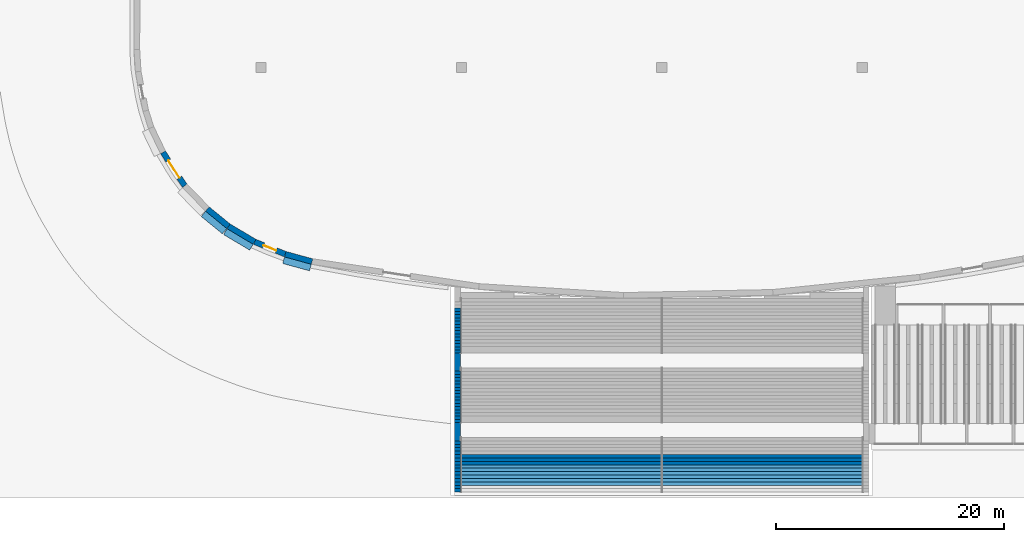
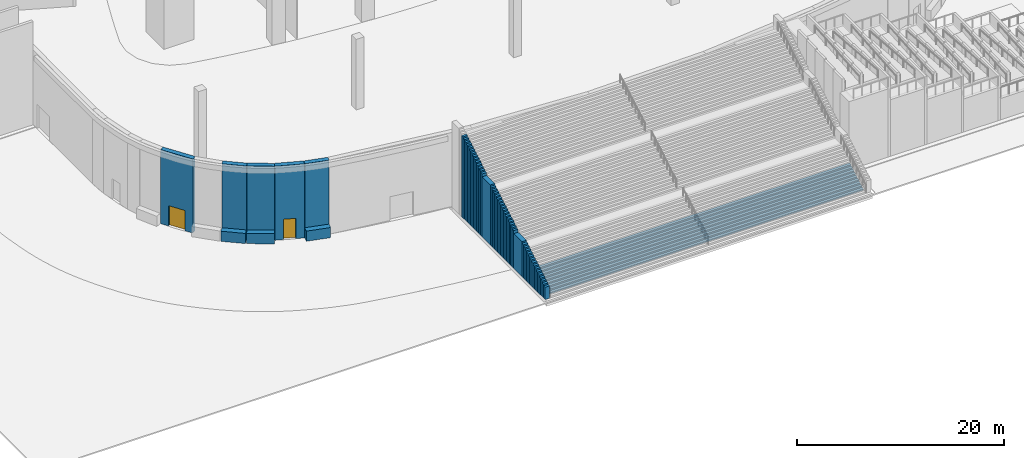
# One storey, part 4 of 29: 64 walls, 2 doors, 2 openings.
"""IFC4 building model written with IfcOpenShell, lengths in metres."""

from ifc_helpers import new_model, si_unit, direction, frame, frame_2d, origin, place, context, subcontext, project, spatial, rectangle, extrude, material, layer, layer_set, type_object, element, fill, save


model = new_model("IFC4")

# Units and contexts
model_context = context("Model", 3, precision=1e-05, world=origin(), true_north=direction((0.0, 1.0)))
body_context = subcontext(model_context, "Body", "Model", "MODEL_VIEW")
ifc_project = project(units=[si_unit("LENGTHUNIT", "METRE"), si_unit("AREAUNIT", "SQUARE_METRE"), si_unit("VOLUMEUNIT", "CUBIC_METRE"), si_unit("PLANEANGLEUNIT", "RADIAN"), si_unit("MASSUNIT", "GRAM", prefix="KILO")], contexts=[model_context])

# Site, building, storey
site_placement = place(None, origin())
site = spatial("IfcSite", under=ifc_project, at=site_placement, CompositionType="ELEMENT")
building_placement = place(site_placement, origin())
building = spatial("IfcBuilding", under=site, at=building_placement, Name="Sierra Prisma Convention Tower", CompositionType="ELEMENT")
storey_placement = place(building_placement, origin())
storey = spatial("IfcBuildingStorey", under=building, at=storey_placement, Name="L00", CompositionType="ELEMENT", Elevation=0.0)

# Walls
ifc_material_1 = material(Name="Concrete C35/45, rose plaster finish", Category="concrete")
ifc_layer_1 = layer(ifc_material_1, 0.5)
ifc_layer_set_1 = layer_set([ifc_layer_1], Name="Garden steps cheek wall 500")
wall_type_1 = type_object("IfcWallType", Name="Garden steps cheek wall 500", PredefinedType="STANDARD", material=ifc_layer_set_1)
wall_1_placement = place(storey_placement, frame((-17.949951171875, -72.490234375, 0.0), z_axis=(0.0, 0.0, 1.0), x_axis=(0.0, 1.0, 0.0)))
element("IfcWall", 1, at=wall_1_placement, inside=storey, type_object=wall_type_1, Name="Garden steps cheek wall west 1", PredefinedType="STANDARD", context=body_context, shape_type="SweptSolid", body=[
    extrude(rectangle(XDim=0.300048828125, YDim=0.5, at=frame_2d((0.14990234375, 0.0))), origin(), (0.0, 0.0, 1.0), 1.452880859375),
])
wall_2_placement = place(storey_placement, frame((-17.949951171875, -72.190185546875, 0.0), z_axis=(0.0, 0.0, 1.0), x_axis=(0.0, 1.0, 0.0)))
element("IfcWall", 2, at=wall_2_placement, inside=storey, type_object=wall_type_1, Name="Garden steps cheek wall west 2", PredefinedType="STANDARD", context=body_context, shape_type="SweptSolid", body=[
    extrude(rectangle(XDim=0.300048828125, YDim=0.5, at=frame_2d((0.14990234375, 0.0))), origin(), (0.0, 0.0, 1.0), 1.62939453125),
])
wall_3_placement = place(storey_placement, frame((-17.949951171875, -71.89013671875, 0.0), z_axis=(0.0, 0.0, 1.0), x_axis=(0.0, 1.0, 0.0)))
element("IfcWall", 3, at=wall_3_placement, inside=storey, type_object=wall_type_1, Name="Garden steps cheek wall west 3", PredefinedType="STANDARD", context=body_context, shape_type="SweptSolid", body=[
    extrude(rectangle(XDim=0.300048828125, YDim=0.5, at=frame_2d((0.14990234375, 0.0))), origin(), (0.0, 0.0, 1.0), 1.805908203125),
])
wall_4_placement = place(storey_placement, frame((-17.949951171875, -71.590087890625, 0.0), z_axis=(0.0, 0.0, 1.0), x_axis=(0.0, 1.0, 0.0)))
element("IfcWall", 4, at=wall_4_placement, inside=storey, type_object=wall_type_1, Name="Garden steps cheek wall west 4", PredefinedType="STANDARD", context=body_context, shape_type="SweptSolid", body=[
    extrude(rectangle(XDim=0.2998046875, YDim=0.5, at=frame_2d((0.14990234375, 0.0))), origin(), (0.0, 0.0, 1.0), 1.982421875),
])
wall_5_placement = place(storey_placement, frame((-17.949951171875, -71.290283203125, 0.0), z_axis=(0.0, 0.0, 1.0), x_axis=(0.0, 1.0, 0.0)))
element("IfcWall", 5, at=wall_5_placement, inside=storey, type_object=wall_type_1, Name="Garden steps cheek wall west 5", PredefinedType="STANDARD", context=body_context, shape_type="SweptSolid", body=[
    extrude(rectangle(XDim=0.300048828125, YDim=0.5, at=frame_2d((0.14990234375, 0.0))), origin(), (0.0, 0.0, 1.0), 2.15869140625),
])
wall_6_placement = place(storey_placement, frame((-17.949951171875, -70.990234375, 0.0), z_axis=(0.0, 0.0, 1.0), x_axis=(0.0, 1.0, 0.0)))
element("IfcWall", 6, at=wall_6_placement, inside=storey, type_object=wall_type_1, Name="Garden steps cheek wall west 6", PredefinedType="STANDARD", context=body_context, shape_type="SweptSolid", body=[
    extrude(rectangle(XDim=0.300048828125, YDim=0.5, at=frame_2d((0.14990234375, 0.0))), origin(), (0.0, 0.0, 1.0), 2.335205078125),
])
wall_7_placement = place(storey_placement, frame((-17.949951171875, -70.690185546875, 0.0), z_axis=(0.0, 0.0, 1.0), x_axis=(0.0, 1.0, 0.0)))
element("IfcWall", 7, at=wall_7_placement, inside=storey, type_object=wall_type_1, Name="Garden steps cheek wall west 7", PredefinedType="STANDARD", context=body_context, shape_type="SweptSolid", body=[
    extrude(rectangle(XDim=0.300048828125, YDim=0.5, at=frame_2d((0.14990234375, 0.0))), origin(), (0.0, 0.0, 1.0), 2.51171875),
])
wall_8_placement = place(storey_placement, frame((-17.949951171875, -70.39013671875, 0.0), z_axis=(0.0, 0.0, 1.0), x_axis=(0.0, 1.0, 0.0)))
element("IfcWall", 8, at=wall_8_placement, inside=storey, type_object=wall_type_1, Name="Garden steps cheek wall west 8", PredefinedType="STANDARD", context=body_context, shape_type="SweptSolid", body=[
    extrude(rectangle(XDim=0.300048828125, YDim=0.5, at=frame_2d((0.14990234375, 0.0))), origin(), (0.0, 0.0, 1.0), 2.688232421875),
])
wall_9_placement = place(storey_placement, frame((-17.949951171875, -70.090087890625, 0.0), z_axis=(0.0, 0.0, 1.0), x_axis=(0.0, 1.0, 0.0)))
element("IfcWall", 9, at=wall_9_placement, inside=storey, type_object=wall_type_1, Name="Garden steps cheek wall west 9", PredefinedType="STANDARD", context=body_context, shape_type="SweptSolid", body=[
    extrude(rectangle(XDim=0.2998046875, YDim=0.5, at=frame_2d((0.14990234375, 0.0))), origin(), (0.0, 0.0, 1.0), 2.86474609375),
])
wall_10_placement = place(storey_placement, frame((-17.949951171875, -69.790283203125, 0.0), z_axis=(0.0, 0.0, 1.0), x_axis=(0.0, 1.0, 0.0)))
element("IfcWall", 10, at=wall_10_placement, inside=storey, type_object=wall_type_1, Name="Garden steps cheek wall west 10", PredefinedType="STANDARD", context=body_context, shape_type="SweptSolid", body=[
    extrude(rectangle(XDim=0.300048828125, YDim=0.5, at=frame_2d((0.14990234375, 0.0))), origin(), (0.0, 0.0, 1.0), 3.041259765625),
])
wall_11_placement = place(storey_placement, frame((-17.949951171875, -69.490234375, 0.0), z_axis=(0.0, 0.0, 1.0), x_axis=(0.0, 1.0, 0.0)))
element("IfcWall", 11, at=wall_11_placement, inside=storey, type_object=wall_type_1, Name="Garden steps cheek wall west 11", PredefinedType="STANDARD", context=body_context, shape_type="SweptSolid", body=[
    extrude(rectangle(XDim=0.300048828125, YDim=0.5, at=frame_2d((0.14990234375, 0.0))), origin(), (0.0, 0.0, 1.0), 3.217529296875),
])
wall_12_placement = place(storey_placement, frame((-17.949951171875, -69.190185546875, 0.0), z_axis=(0.0, 0.0, 1.0), x_axis=(0.0, 1.0, 0.0)))
element("IfcWall", 12, at=wall_12_placement, inside=storey, type_object=wall_type_1, Name="Garden steps cheek wall west 12", PredefinedType="STANDARD", context=body_context, shape_type="SweptSolid", body=[
    extrude(rectangle(XDim=0.300048828125, YDim=0.5, at=frame_2d((0.14990234375, 0.0))), origin(), (0.0, 0.0, 1.0), 3.39404296875),
])
wall_13_placement = place(storey_placement, frame((-17.949951171875, -68.89013671875, 0.0), z_axis=(0.0, 0.0, 1.0), x_axis=(0.0, 1.0, 0.0)))
element("IfcWall", 13, at=wall_13_placement, inside=storey, type_object=wall_type_1, Name="Garden steps cheek wall west 13", PredefinedType="STANDARD", context=body_context, shape_type="SweptSolid", body=[
    extrude(rectangle(XDim=0.300048828125, YDim=0.5, at=frame_2d((0.14990234375, 0.0))), origin(), (0.0, 0.0, 1.0), 3.570556640625),
])
wall_14_placement = place(storey_placement, frame((-17.949951171875, -68.590087890625, 0.0), z_axis=(0.0, 0.0, 1.0), x_axis=(0.0, 1.0, 0.0)))
element("IfcWall", 14, at=wall_14_placement, inside=storey, type_object=wall_type_1, Name="Garden steps cheek wall west 14", PredefinedType="STANDARD", context=body_context, shape_type="SweptSolid", body=[
    extrude(rectangle(XDim=0.2998046875, YDim=0.5, at=frame_2d((0.14990234375, 0.0))), origin(), (0.0, 0.0, 1.0), 3.7470703125),
])
wall_15_placement = place(storey_placement, frame((-17.949951171875, -68.290283203125, 0.0), z_axis=(0.0, 0.0, 1.0), x_axis=(0.0, 1.0, 0.0)))
element("IfcWall", 15, at=wall_15_placement, inside=storey, type_object=wall_type_1, Name="Garden steps cheek wall west 15", PredefinedType="STANDARD", context=body_context, shape_type="SweptSolid", body=[
    extrude(rectangle(XDim=0.300048828125, YDim=0.5, at=frame_2d((0.14990234375, 0.0))), origin(), (0.0, 0.0, 1.0), 3.923583984375),
])
wall_16_placement = place(storey_placement, frame((-17.949951171875, -67.990234375, 0.0), z_axis=(0.0, 0.0, 1.0), x_axis=(0.0, 1.0, 0.0)))
element("IfcWall", 16, at=wall_16_placement, inside=storey, type_object=wall_type_1, Name="Garden steps cheek wall west 16", PredefinedType="STANDARD", context=body_context, shape_type="SweptSolid", body=[
    extrude(rectangle(XDim=1.60009765625, YDim=0.5, at=frame_2d((0.800048828125, 0.0))), origin(), (0.0, 0.0, 1.0), 4.10009765625),
])
wall_17_placement = place(storey_placement, frame((-17.949951171875, -66.39013671875, 0.0), z_axis=(0.0, 0.0, 1.0), x_axis=(0.0, 1.0, 0.0)))
element("IfcWall", 17, at=wall_17_placement, inside=storey, type_object=wall_type_1, Name="Garden steps cheek wall west 17", PredefinedType="STANDARD", context=body_context, shape_type="SweptSolid", body=[
    extrude(rectangle(XDim=0.2822265625, YDim=0.5, at=frame_2d((0.14111328125, 0.0))), origin(), (0.0, 0.0, 1.0), 4.442626953125),
])
wall_18_placement = place(storey_placement, frame((-17.949951171875, -66.10791015625, 0.0), z_axis=(0.0, 0.0, 1.0), x_axis=(0.0, 1.0, 0.0)))
element("IfcWall", 18, at=wall_18_placement, inside=storey, type_object=wall_type_1, Name="Garden steps cheek wall west 18", PredefinedType="STANDARD", context=body_context, shape_type="SweptSolid", body=[
    extrude(rectangle(XDim=0.282470703125, YDim=0.5, at=frame_2d((0.14111328125, 0.0))), origin(), (0.0, 0.0, 1.0), 4.608642578125),
])
wall_19_placement = place(storey_placement, frame((-17.949951171875, -65.825439453125, 0.0), z_axis=(0.0, 0.0, 1.0), x_axis=(0.0, 1.0, 0.0)))
element("IfcWall", 19, at=wall_19_placement, inside=storey, type_object=wall_type_1, Name="Garden steps cheek wall west 19", PredefinedType="STANDARD", context=body_context, shape_type="SweptSolid", body=[
    extrude(rectangle(XDim=0.2822265625, YDim=0.5, at=frame_2d((0.14111328125, 0.0))), origin(), (0.0, 0.0, 1.0), 4.774658203125),
])
wall_20_placement = place(storey_placement, frame((-17.949951171875, -65.543212890625, 0.0), z_axis=(0.0, 0.0, 1.0), x_axis=(0.0, 1.0, 0.0)))
element("IfcWall", 20, at=wall_20_placement, inside=storey, type_object=wall_type_1, Name="Garden steps cheek wall west 20", PredefinedType="STANDARD", context=body_context, shape_type="SweptSolid", body=[
    extrude(rectangle(XDim=0.282470703125, YDim=0.5, at=frame_2d((0.14111328125, 0.0))), origin(), (0.0, 0.0, 1.0), 4.94091796875),
])
wall_21_placement = place(storey_placement, frame((-17.949951171875, -65.2607421875, 0.0), z_axis=(0.0, 0.0, 1.0), x_axis=(0.0, 1.0, 0.0)))
element("IfcWall", 21, at=wall_21_placement, inside=storey, type_object=wall_type_1, Name="Garden steps cheek wall west 21", PredefinedType="STANDARD", context=body_context, shape_type="SweptSolid", body=[
    extrude(rectangle(XDim=0.2822265625, YDim=0.5, at=frame_2d((0.14111328125, 0.0))), origin(), (0.0, 0.0, 1.0), 5.10693359375),
])
wall_22_placement = place(storey_placement, frame((-17.949951171875, -64.978515625, 0.0), z_axis=(0.0, 0.0, 1.0), x_axis=(0.0, 1.0, 0.0)))
element("IfcWall", 22, at=wall_22_placement, inside=storey, type_object=wall_type_1, Name="Garden steps cheek wall west 22", PredefinedType="STANDARD", context=body_context, shape_type="SweptSolid", body=[
    extrude(rectangle(XDim=0.282470703125, YDim=0.5, at=frame_2d((0.14111328125, 0.0))), origin(), (0.0, 0.0, 1.0), 5.27294921875),
])
wall_23_placement = place(storey_placement, frame((-17.949951171875, -64.696044921875, 0.0), z_axis=(0.0, 0.0, 1.0), x_axis=(0.0, 1.0, 0.0)))
element("IfcWall", 23, at=wall_23_placement, inside=storey, type_object=wall_type_1, Name="Garden steps cheek wall west 23", PredefinedType="STANDARD", context=body_context, shape_type="SweptSolid", body=[
    extrude(rectangle(XDim=0.2822265625, YDim=0.5, at=frame_2d((0.14111328125, 0.0))), origin(), (0.0, 0.0, 1.0), 5.439208984375),
])
wall_24_placement = place(storey_placement, frame((-17.949951171875, -64.413818359375, 0.0), z_axis=(0.0, 0.0, 1.0), x_axis=(0.0, 1.0, 0.0)))
element("IfcWall", 24, at=wall_24_placement, inside=storey, type_object=wall_type_1, Name="Garden steps cheek wall west 24", PredefinedType="STANDARD", context=body_context, shape_type="SweptSolid", body=[
    extrude(rectangle(XDim=0.282470703125, YDim=0.5, at=frame_2d((0.14111328125, 0.0))), origin(), (0.0, 0.0, 1.0), 5.605224609375),
])
wall_25_placement = place(storey_placement, frame((-17.949951171875, -64.13134765625, 0.0), z_axis=(0.0, 0.0, 1.0), x_axis=(0.0, 1.0, 0.0)))
element("IfcWall", 25, at=wall_25_placement, inside=storey, type_object=wall_type_1, Name="Garden steps cheek wall west 25", PredefinedType="STANDARD", context=body_context, shape_type="SweptSolid", body=[
    extrude(rectangle(XDim=0.2822265625, YDim=0.5, at=frame_2d((0.14111328125, 0.0))), origin(), (0.0, 0.0, 1.0), 5.771240234375),
])
wall_26_placement = place(storey_placement, frame((-17.949951171875, -63.84912109375, 0.0), z_axis=(0.0, 0.0, 1.0), x_axis=(0.0, 1.0, 0.0)))
element("IfcWall", 26, at=wall_26_placement, inside=storey, type_object=wall_type_1, Name="Garden steps cheek wall west 26", PredefinedType="STANDARD", context=body_context, shape_type="SweptSolid", body=[
    extrude(rectangle(XDim=0.282470703125, YDim=0.5, at=frame_2d((0.14111328125, 0.0))), origin(), (0.0, 0.0, 1.0), 5.9375),
])
wall_27_placement = place(storey_placement, frame((-17.949951171875, -63.566650390625, 0.0), z_axis=(0.0, 0.0, 1.0), x_axis=(0.0, 1.0, 0.0)))
element("IfcWall", 27, at=wall_27_placement, inside=storey, type_object=wall_type_1, Name="Garden steps cheek wall west 27", PredefinedType="STANDARD", context=body_context, shape_type="SweptSolid", body=[
    extrude(rectangle(XDim=0.2822265625, YDim=0.5, at=frame_2d((0.14111328125, 0.0))), origin(), (0.0, 0.0, 1.0), 6.103515625),
])
wall_28_placement = place(storey_placement, frame((-17.949951171875, -63.284423828125, 0.0), z_axis=(0.0, 0.0, 1.0), x_axis=(0.0, 1.0, 0.0)))
element("IfcWall", 28, at=wall_28_placement, inside=storey, type_object=wall_type_1, Name="Garden steps cheek wall west 28", PredefinedType="STANDARD", context=body_context, shape_type="SweptSolid", body=[
    extrude(rectangle(XDim=0.282470703125, YDim=0.5, at=frame_2d((0.14111328125, 0.0))), origin(), (0.0, 0.0, 1.0), 6.26953125),
])
wall_29_placement = place(storey_placement, frame((-17.949951171875, -63.001953125, 0.0), z_axis=(0.0, 0.0, 1.0), x_axis=(0.0, 1.0, 0.0)))
element("IfcWall", 29, at=wall_29_placement, inside=storey, type_object=wall_type_1, Name="Garden steps cheek wall west 29", PredefinedType="STANDARD", context=body_context, shape_type="SweptSolid", body=[
    extrude(rectangle(XDim=0.2822265625, YDim=0.5, at=frame_2d((0.14111328125, 0.0))), origin(), (0.0, 0.0, 1.0), 6.435546875),
])
wall_30_placement = place(storey_placement, frame((-17.949951171875, -62.7197265625, 0.0), z_axis=(0.0, 0.0, 1.0), x_axis=(0.0, 1.0, 0.0)))
element("IfcWall", 30, at=wall_30_placement, inside=storey, type_object=wall_type_1, Name="Garden steps cheek wall west 30", PredefinedType="STANDARD", context=body_context, shape_type="SweptSolid", body=[
    extrude(rectangle(XDim=0.282470703125, YDim=0.5, at=frame_2d((0.14111328125, 0.0))), origin(), (0.0, 0.0, 1.0), 6.601806640625),
])
wall_31_placement = place(storey_placement, frame((-17.949951171875, -62.437255859375, 0.0), z_axis=(0.0, 0.0, 1.0), x_axis=(0.0, 1.0, 0.0)))
element("IfcWall", 31, at=wall_31_placement, inside=storey, type_object=wall_type_1, Name="Garden steps cheek wall west 31", PredefinedType="STANDARD", context=body_context, shape_type="SweptSolid", body=[
    extrude(rectangle(XDim=0.282470703125, YDim=0.5, at=frame_2d((0.14111328125, 0.0))), origin(), (0.0, 0.0, 1.0), 6.767822265625),
])
wall_32_placement = place(storey_placement, frame((-17.949951171875, -62.15478515625, 0.0), z_axis=(0.0, 0.0, 1.0), x_axis=(0.0, 1.0, 0.0)))
element("IfcWall", 32, at=wall_32_placement, inside=storey, type_object=wall_type_1, Name="Garden steps cheek wall west 32", PredefinedType="STANDARD", context=body_context, shape_type="SweptSolid", body=[
    extrude(rectangle(XDim=0.2822265625, YDim=0.5, at=frame_2d((0.14111328125, 0.0))), origin(), (0.0, 0.0, 1.0), 6.933837890625),
])
wall_33_placement = place(storey_placement, frame((-17.949951171875, -61.87255859375, 0.0), z_axis=(0.0, 0.0, 1.0), x_axis=(0.0, 1.0, 0.0)))
element("IfcWall", 33, at=wall_33_placement, inside=storey, type_object=wall_type_1, Name="Garden steps cheek wall west 33", PredefinedType="STANDARD", context=body_context, shape_type="SweptSolid", body=[
    extrude(rectangle(XDim=1.582275390625, YDim=0.5, at=frame_2d((0.791015625, 0.0))), origin(), (0.0, 0.0, 1.0), 7.10009765625),
])
wall_34_placement = place(storey_placement, frame((-17.949951171875, -60.290283203125, 0.0), z_axis=(0.0, 0.0, 1.0), x_axis=(0.0, 1.0, 0.0)))
element("IfcWall", 34, at=wall_34_placement, inside=storey, type_object=wall_type_1, Name="Garden steps cheek wall west 34", PredefinedType="STANDARD", context=body_context, shape_type="SweptSolid", body=[
    extrude(rectangle(XDim=0.282470703125, YDim=0.5, at=frame_2d((0.14111328125, 0.0))), origin(), (0.0, 0.0, 1.0), 7.442626953125),
])
wall_35_placement = place(storey_placement, frame((-17.949951171875, -60.0078125, 0.0), z_axis=(0.0, 0.0, 1.0), x_axis=(0.0, 1.0, 0.0)))
element("IfcWall", 35, at=wall_35_placement, inside=storey, type_object=wall_type_1, Name="Garden steps cheek wall west 35", PredefinedType="STANDARD", context=body_context, shape_type="SweptSolid", body=[
    extrude(rectangle(XDim=0.2822265625, YDim=0.5, at=frame_2d((0.14111328125, 0.0))), origin(), (0.0, 0.0, 1.0), 7.608642578125),
])
wall_36_placement = place(storey_placement, frame((-17.949951171875, -59.7255859375, 0.0), z_axis=(0.0, 0.0, 1.0), x_axis=(0.0, 1.0, 0.0)))
element("IfcWall", 36, at=wall_36_placement, inside=storey, type_object=wall_type_1, Name="Garden steps cheek wall west 36", PredefinedType="STANDARD", context=body_context, shape_type="SweptSolid", body=[
    extrude(rectangle(XDim=0.282470703125, YDim=0.5, at=frame_2d((0.14111328125, 0.0))), origin(), (0.0, 0.0, 1.0), 7.774658203125),
])
wall_37_placement = place(storey_placement, frame((-17.949951171875, -59.443115234375, 0.0), z_axis=(0.0, 0.0, 1.0), x_axis=(0.0, 1.0, 0.0)))
element("IfcWall", 37, at=wall_37_placement, inside=storey, type_object=wall_type_1, Name="Garden steps cheek wall west 37", PredefinedType="STANDARD", context=body_context, shape_type="SweptSolid", body=[
    extrude(rectangle(XDim=0.2822265625, YDim=0.5, at=frame_2d((0.14111328125, 0.0))), origin(), (0.0, 0.0, 1.0), 7.94091796875),
])
wall_38_placement = place(storey_placement, frame((-17.949951171875, -59.160888671875, 0.0), z_axis=(0.0, 0.0, 1.0), x_axis=(0.0, 1.0, 0.0)))
element("IfcWall", 38, at=wall_38_placement, inside=storey, type_object=wall_type_1, Name="Garden steps cheek wall west 38", PredefinedType="STANDARD", context=body_context, shape_type="SweptSolid", body=[
    extrude(rectangle(XDim=0.282470703125, YDim=0.5, at=frame_2d((0.14111328125, 0.0))), origin(), (0.0, 0.0, 1.0), 8.10693359375),
])
wall_39_placement = place(storey_placement, frame((-17.949951171875, -58.87841796875, 0.0), z_axis=(0.0, 0.0, 1.0), x_axis=(0.0, 1.0, 0.0)))
element("IfcWall", 39, at=wall_39_placement, inside=storey, type_object=wall_type_1, Name="Garden steps cheek wall west 39", PredefinedType="STANDARD", context=body_context, shape_type="SweptSolid", body=[
    extrude(rectangle(XDim=0.2822265625, YDim=0.5, at=frame_2d((0.14111328125, 0.0))), origin(), (0.0, 0.0, 1.0), 8.27294921875),
])
wall_40_placement = place(storey_placement, frame((-17.949951171875, -58.59619140625, 0.0), z_axis=(0.0, 0.0, 1.0), x_axis=(0.0, 1.0, 0.0)))
element("IfcWall", 40, at=wall_40_placement, inside=storey, type_object=wall_type_1, Name="Garden steps cheek wall west 40", PredefinedType="STANDARD", context=body_context, shape_type="SweptSolid", body=[
    extrude(rectangle(XDim=0.282470703125, YDim=0.5, at=frame_2d((0.14111328125, 0.0))), origin(), (0.0, 0.0, 1.0), 8.439208984375),
])
wall_41_placement = place(storey_placement, frame((-17.949951171875, -58.313720703125, 0.0), z_axis=(0.0, 0.0, 1.0), x_axis=(0.0, 1.0, 0.0)))
element("IfcWall", 41, at=wall_41_placement, inside=storey, type_object=wall_type_1, Name="Garden steps cheek wall west 41", PredefinedType="STANDARD", context=body_context, shape_type="SweptSolid", body=[
    extrude(rectangle(XDim=0.2822265625, YDim=0.5, at=frame_2d((0.14111328125, 0.0))), origin(), (0.0, 0.0, 1.0), 8.605224609375),
])
wall_42_placement = place(storey_placement, frame((-17.949951171875, -58.031494140625, 0.0), z_axis=(0.0, 0.0, 1.0), x_axis=(0.0, 1.0, 0.0)))
element("IfcWall", 42, at=wall_42_placement, inside=storey, type_object=wall_type_1, Name="Garden steps cheek wall west 42", PredefinedType="STANDARD", context=body_context, shape_type="SweptSolid", body=[
    extrude(rectangle(XDim=0.282470703125, YDim=0.5, at=frame_2d((0.14111328125, 0.0))), origin(), (0.0, 0.0, 1.0), 8.771240234375),
])
wall_43_placement = place(storey_placement, frame((-17.949951171875, -57.7490234375, 0.0), z_axis=(0.0, 0.0, 1.0), x_axis=(0.0, 1.0, 0.0)))
element("IfcWall", 43, at=wall_43_placement, inside=storey, type_object=wall_type_1, Name="Garden steps cheek wall west 43", PredefinedType="STANDARD", context=body_context, shape_type="SweptSolid", body=[
    extrude(rectangle(XDim=0.2822265625, YDim=0.5, at=frame_2d((0.14111328125, 0.0))), origin(), (0.0, 0.0, 1.0), 8.9375),
])
wall_44_placement = place(storey_placement, frame((-17.949951171875, -57.466796875, 0.0), z_axis=(0.0, 0.0, 1.0), x_axis=(0.0, 1.0, 0.0)))
element("IfcWall", 44, at=wall_44_placement, inside=storey, type_object=wall_type_1, Name="Garden steps cheek wall west 44", PredefinedType="STANDARD", context=body_context, shape_type="SweptSolid", body=[
    extrude(rectangle(XDim=0.282470703125, YDim=0.5, at=frame_2d((0.14111328125, 0.0))), origin(), (0.0, 0.0, 1.0), 9.103515625),
])
wall_45_placement = place(storey_placement, frame((-17.949951171875, -57.184326171875, 0.0), z_axis=(0.0, 0.0, 1.0), x_axis=(0.0, 1.0, 0.0)))
element("IfcWall", 45, at=wall_45_placement, inside=storey, type_object=wall_type_1, Name="Garden steps cheek wall west 45", PredefinedType="STANDARD", context=body_context, shape_type="SweptSolid", body=[
    extrude(rectangle(XDim=0.2822265625, YDim=0.5, at=frame_2d((0.14111328125, 0.0))), origin(), (0.0, 0.0, 1.0), 9.26953125),
])
wall_46_placement = place(storey_placement, frame((-17.949951171875, -56.902099609375, 0.0), z_axis=(0.0, 0.0, 1.0), x_axis=(0.0, 1.0, 0.0)))
element("IfcWall", 46, at=wall_46_placement, inside=storey, type_object=wall_type_1, Name="Garden steps cheek wall west 46", PredefinedType="STANDARD", context=body_context, shape_type="SweptSolid", body=[
    extrude(rectangle(XDim=0.282470703125, YDim=0.5, at=frame_2d((0.14111328125, 0.0))), origin(), (0.0, 0.0, 1.0), 9.435546875),
])
wall_47_placement = place(storey_placement, frame((-17.949951171875, -56.61962890625, 0.0), z_axis=(0.0, 0.0, 1.0), x_axis=(0.0, 1.0, 0.0)))
element("IfcWall", 47, at=wall_47_placement, inside=storey, type_object=wall_type_1, Name="Garden steps cheek wall west 47", PredefinedType="STANDARD", context=body_context, shape_type="SweptSolid", body=[
    extrude(rectangle(XDim=0.2822265625, YDim=0.5, at=frame_2d((0.14111328125, 0.0))), origin(), (0.0, 0.0, 1.0), 9.601806640625),
])
ifc_material_2 = material(Name="Concrete C30/37", Category="concrete")
ifc_layer_2 = layer(ifc_material_2, 0.300048828125)
ifc_layer_set_2 = layer_set([ifc_layer_2], Name="Garden steps fill wall 300")
wall_type_2 = type_object("IfcWallType", Name="Garden steps fill wall 300", PredefinedType="STANDARD", material=ifc_layer_set_2)
wall_48_placement = place(storey_placement, frame((-17.699951171875, -71.743896484375, 0.0), z_axis=(0.0, 0.0, 1.0), x_axis=(1.0, 0.0, 0.0)))
element("IfcWall", 48, at=wall_48_placement, inside=storey, type_object=wall_type_2, Name="Garden steps fill wall 1 1", PredefinedType="STANDARD", context=body_context, shape_type="SweptSolid", body=[
    extrude(rectangle(XDim=35.39990234375, YDim=0.300048828125, at=frame_2d((17.699951171875, 0.0))), origin(), (0.0, 0.0, 1.0), 0.176513671875),
])
wall_49_placement = place(storey_placement, frame((-17.699951171875, -71.443603515625, 0.0), z_axis=(0.0, 0.0, 1.0), x_axis=(1.0, 0.0, 0.0)))
element("IfcWall", 49, at=wall_49_placement, inside=storey, type_object=wall_type_2, Name="Garden steps fill wall 1 2", PredefinedType="STANDARD", context=body_context, shape_type="SweptSolid", body=[
    extrude(rectangle(XDim=35.39990234375, YDim=0.300048828125, at=frame_2d((17.699951171875, 0.0))), origin(), (0.0, 0.0, 1.0), 0.353271484375),
])
wall_50_placement = place(storey_placement, frame((-17.699951171875, -71.143310546875, 0.0), z_axis=(0.0, 0.0, 1.0), x_axis=(1.0, 0.0, 0.0)))
element("IfcWall", 50, at=wall_50_placement, inside=storey, type_object=wall_type_2, Name="Garden steps fill wall 1 3", PredefinedType="STANDARD", context=body_context, shape_type="SweptSolid", body=[
    extrude(rectangle(XDim=35.39990234375, YDim=0.300048828125, at=frame_2d((17.699951171875, 0.0))), origin(), (0.0, 0.0, 1.0), 0.52978515625),
])
wall_51_placement = place(storey_placement, frame((-17.699951171875, -70.843017578125, 0.0), z_axis=(0.0, 0.0, 1.0), x_axis=(1.0, 0.0, 0.0)))
element("IfcWall", 51, at=wall_51_placement, inside=storey, type_object=wall_type_2, Name="Garden steps fill wall 1 4", PredefinedType="STANDARD", context=body_context, shape_type="SweptSolid", body=[
    extrude(rectangle(XDim=35.39990234375, YDim=0.300048828125, at=frame_2d((17.699951171875, 0.0))), origin(), (0.0, 0.0, 1.0), 0.70654296875),
])
wall_52_placement = place(storey_placement, frame((-17.699951171875, -70.54296875, 0.0), z_axis=(0.0, 0.0, 1.0), x_axis=(1.0, 0.0, 0.0)))
element("IfcWall", 52, at=wall_52_placement, inside=storey, type_object=wall_type_2, Name="Garden steps fill wall 1 5", PredefinedType="STANDARD", context=body_context, shape_type="SweptSolid", body=[
    extrude(rectangle(XDim=35.39990234375, YDim=0.300048828125, at=frame_2d((17.699951171875, 0.0))), origin(), (0.0, 0.0, 1.0), 0.88330078125),
])
wall_53_placement = place(storey_placement, frame((-17.699951171875, -70.24267578125, 0.0), z_axis=(0.0, 0.0, 1.0), x_axis=(1.0, 0.0, 0.0)))
element("IfcWall", 53, at=wall_53_placement, inside=storey, type_object=wall_type_2, Name="Garden steps fill wall 1 6", PredefinedType="STANDARD", context=body_context, shape_type="SweptSolid", body=[
    extrude(rectangle(XDim=35.39990234375, YDim=0.300048828125, at=frame_2d((17.699951171875, 0.0))), origin(), (0.0, 0.0, 1.0), 1.059814453125),
])
wall_54_placement = place(storey_placement, frame((-17.699951171875, -69.9423828125, 0.0), z_axis=(0.0, 0.0, 1.0), x_axis=(1.0, 0.0, 0.0)))
element("IfcWall", 54, at=wall_54_placement, inside=storey, type_object=wall_type_2, Name="Garden steps fill wall 1 7", PredefinedType="STANDARD", context=body_context, shape_type="SweptSolid", body=[
    extrude(rectangle(XDim=35.39990234375, YDim=0.300048828125, at=frame_2d((17.699951171875, 0.0))), origin(), (0.0, 0.0, 1.0), 1.236328125),
])
wall_55_placement = place(storey_placement, frame((-17.699951171875, -69.64208984375, 0.0), z_axis=(0.0, 0.0, 1.0), x_axis=(1.0, 0.0, 0.0)))
element("IfcWall", 55, at=wall_55_placement, inside=storey, type_object=wall_type_2, Name="Garden steps fill wall 1 8", PredefinedType="STANDARD", context=body_context, shape_type="SweptSolid", body=[
    extrude(rectangle(XDim=35.39990234375, YDim=0.300048828125, at=frame_2d((17.699951171875, 0.0))), origin(), (0.0, 0.0, 1.0), 1.4130859375),
])
wall_56_placement = place(storey_placement, frame((-17.699951171875, -69.341796875, 0.0), z_axis=(0.0, 0.0, 1.0), x_axis=(1.0, 0.0, 0.0)))
element("IfcWall", 56, at=wall_56_placement, inside=storey, type_object=wall_type_2, Name="Garden steps fill wall 1 9", PredefinedType="STANDARD", context=body_context, shape_type="SweptSolid", body=[
    extrude(rectangle(XDim=35.39990234375, YDim=0.300048828125, at=frame_2d((17.699951171875, 0.0))), origin(), (0.0, 0.0, 1.0), 1.589599609375),
])

# Wall, opening, door
ifc_material_3 = material(Name="Concrete C40/50, ochre plaster finish", Category="concrete")
ifc_layer_3 = layer(ifc_material_3, 0.5)
ifc_layer_set_3 = layer_set([ifc_layer_3], Name="Ochre plastered wall 500")
wall_type_3 = type_object("IfcWallType", Name="Ochre plastered wall 500", PredefinedType="STANDARD", material=ifc_layer_set_3)
wall_57_placement = place(storey_placement, frame((-41.8984375, -45.593994140625, 0.0), z_axis=(0.0, 0.0, 1.0), x_axis=(-0.544404059833, 0.838823115822, 0.0)))
wall_57 = element("IfcWall", 57, at=wall_57_placement, inside=storey, type_object=wall_type_3, Name="Plinth wall 2", PredefinedType="STANDARD", context=body_context, shape_type="SweptSolid", body=[
    extrude(rectangle(XDim=3.510986328125, YDim=0.5, at=frame_2d((1.75537109375, 0.0))), origin(), (0.0, 0.0, 1.0), 8.75),
])
opening_1_placement = place(wall_57_placement, frame((0.85009765625, 0.0, 0.0)))
opening_1 = element("IfcOpeningElement", 58, at=opening_1_placement, cuts=wall_57, Name="Opening L00-D047", PredefinedType="OPENING", context=body_context, shape_type="SweptSolid", body=[
    extrude(rectangle(XDim=1.800048828125, YDim=2.39990234375, at=frame_2d((0.89990234375, 1.199951171875))), frame((0.0, 0.25, 0.0), z_axis=(0.0, -1.0, 0.0), x_axis=(1.0, 0.0, 0.0)), (0.0, 0.0, 1.0), 0.5),
])
ifc_material_4 = material(Name="Painted steel, fire resisting", Category="steel")
door_type_1 = type_object("IfcDoorType", Name="Exit door double 1800 x 2400", OperationType="DOUBLE_DOOR_SINGLE_SWING", PredefinedType="DOOR", material=ifc_material_4)
door_1_placement = place(opening_1_placement, origin())
door_1 = element("IfcDoor", 59, at=door_1_placement, inside=storey, type_object=door_type_1, Name="Pedestrian exit door", OperationType="DOUBLE_DOOR_SINGLE_SWING", OverallHeight=2.39990234375, OverallWidth=1.800048828125, PredefinedType="DOOR", context=body_context, shape_type="SweptSolid", body=[
    extrude(rectangle(XDim=1.800048828125, YDim=2.39990234375, at=frame_2d((0.89990234375, 1.199951171875))), frame((0.0, 0.02490234375, 0.0), z_axis=(0.0, -1.0, 0.0), x_axis=(1.0, 0.0, 0.0)), (0.0, 0.0, 1.0), 0.050048828125),
])
fill(opening_1, door_1)

# Wall
wall_58_placement = place(storey_placement, frame((-38.053955078125, -49.144775390625, 0.0), z_axis=(0.0, 0.0, 1.0), x_axis=(-0.775397412953, 0.631473556046, 0.0)))
element("IfcWall", 60, at=wall_58_placement, inside=storey, type_object=wall_type_3, Name="Plinth wall 4", PredefinedType="STANDARD", context=body_context, shape_type="SweptSolid", body=[
    extrude(rectangle(XDim=2.398681640625, YDim=0.5, at=frame_2d((1.19921875, 0.0))), origin(), (0.0, 0.0, 1.0), 8.75),
])

# Wall, opening, door
wall_59_placement = place(storey_placement, frame((-33.071044921875, -51.5966796875, 0.0), z_axis=(0.0, 0.0, 1.0), x_axis=(-0.927305332951, 0.374305783392, 0.0)))
wall_59 = element("IfcWall", 61, at=wall_59_placement, inside=storey, type_object=wall_type_3, Name="Plinth wall 6", PredefinedType="STANDARD", context=body_context, shape_type="SweptSolid", body=[
    extrude(rectangle(XDim=2.900634765625, YDim=0.5, at=frame_2d((1.4501953125, 0.0))), origin(), (0.0, 0.0, 1.0), 8.75),
])
opening_2_placement = place(wall_59_placement, frame((0.85009765625, 0.0, 0.0)))
opening_2 = element("IfcOpeningElement", 62, at=opening_2_placement, cuts=wall_59, Name="Opening L00-D054", PredefinedType="OPENING", context=body_context, shape_type="SweptSolid", body=[
    extrude(rectangle(XDim=1.199951171875, YDim=2.39990234375, at=frame_2d((0.60009765625, 1.199951171875))), frame((0.0, 0.25, 0.0), z_axis=(0.0, -1.0, 0.0), x_axis=(1.0, 0.0, 0.0)), (0.0, 0.0, 1.0), 0.5),
])
ifc_material_5 = material(Name="Painted steel, fire resisting", Category="steel")
door_type_2 = type_object("IfcDoorType", Name="Pedestrian exit door 1200 x 2400", OperationType="SINGLE_SWING_LEFT", PredefinedType="DOOR", material=ifc_material_5)
door_2_placement = place(opening_2_placement, origin())
door_2 = element("IfcDoor", 63, at=door_2_placement, inside=storey, type_object=door_type_2, Name="Pedestrian exit door", OperationType="SINGLE_SWING_LEFT", OverallHeight=2.39990234375, OverallWidth=1.199951171875, PredefinedType="DOOR", context=body_context, shape_type="SweptSolid", body=[
    extrude(rectangle(XDim=1.199951171875, YDim=2.39990234375, at=frame_2d((0.60009765625, 1.199951171875))), frame((0.0, 0.02490234375, 0.0), z_axis=(0.0, -1.0, 0.0), x_axis=(1.0, 0.0, 0.0)), (0.0, 0.0, 1.0), 0.050048828125),
])
fill(opening_2, door_2)

# Walls
ifc_material_6 = material(Name="Concrete C40/50, bush-hammered finish", Category="concrete")
ifc_layer_4 = layer(ifc_material_6, 0.60009765625)
ifc_layer_set_4 = layer_set([ifc_layer_4], Name="Plinth base course 600")
wall_type_4 = type_object("IfcWallType", Name="Plinth base course 600", PredefinedType="STANDARD", material=ifc_layer_set_4)
wall_60_placement = place(storey_placement, frame((-40.26123046875, -48.056640625, 0.0), z_axis=(0.0, 0.0, 1.0), x_axis=(0.775397412953, -0.631473556046, 0.0)))
element("IfcWall", 64, at=wall_60_placement, inside=storey, type_object=wall_type_4, Name="Plinth base course 3", PredefinedType="STANDARD", context=body_context, shape_type="SweptSolid", body=[
    extrude(rectangle(XDim=2.398681640625, YDim=0.60009765625, at=frame_2d((1.19921875, 0.0))), origin(), (0.0, 0.0, 1.0), 1.199951171875),
])
wall_61_placement = place(storey_placement, frame((-38.335693359375, -49.6171875, 0.0), z_axis=(0.0, 0.0, 1.0), x_axis=(0.859078443812, -0.511843948267, 0.0)))
element("IfcWall", 65, at=wall_61_placement, inside=storey, type_object=wall_type_4, Name="Plinth base course 4", PredefinedType="STANDARD", context=body_context, shape_type="SweptSolid", body=[
    extrude(rectangle(XDim=2.669677734375, YDim=0.60009765625, at=frame_2d((1.3349609375, 0.0))), origin(), (0.0, 0.0, 1.0), 1.199951171875),
])
wall_62_placement = place(storey_placement, frame((-33.21630859375, -52.127197265625, 0.0), z_axis=(0.0, 0.0, 1.0), x_axis=(0.964576581511, -0.263802991645, 0.0)))
element("IfcWall", 66, at=wall_62_placement, inside=storey, type_object=wall_type_4, Name="Plinth base course 5", PredefinedType="STANDARD", context=body_context, shape_type="SweptSolid", body=[
    extrude(rectangle(XDim=2.4404296875, YDim=0.60009765625, at=frame_2d((1.22021484375, 0.0))), origin(), (0.0, 0.0, 1.0), 1.199951171875),
])
ifc_material_7 = material(Name="Concrete C40/50, rose plaster finish", Category="concrete")
ifc_layer_5 = layer(ifc_material_7, 0.5)
ifc_layer_set_5 = layer_set([ifc_layer_5], Name="Rose plastered wall 500")
wall_type_5 = type_object("IfcWallType", Name="Rose plastered wall 500", PredefinedType="STANDARD", material=ifc_layer_set_5)
wall_63_placement = place(storey_placement, frame((-35.7607421875, -50.510986328125, 0.0), z_axis=(0.0, 0.0, 1.0), x_axis=(-0.85909469876, 0.511816664991, 0.0)))
element("IfcWall", 67, at=wall_63_placement, inside=storey, type_object=wall_type_5, Name="Plinth wall 5", PredefinedType="STANDARD", context=body_context, shape_type="SweptSolid", body=[
    extrude(rectangle(XDim=2.66943359375, YDim=0.5, at=frame_2d((1.334716796875, 0.0))), origin(), (0.0, 0.0, 1.0), 8.75),
])
wall_64_placement = place(storey_placement, frame((-30.71728515625, -52.240478515625, 0.0), z_axis=(0.0, 0.0, 1.0), x_axis=(-0.964569618583, 0.263828449767, 0.0)))
element("IfcWall", 68, at=wall_64_placement, inside=storey, type_object=wall_type_5, Name="Plinth wall 7", PredefinedType="STANDARD", context=body_context, shape_type="SweptSolid", body=[
    extrude(rectangle(XDim=2.440185546875, YDim=0.5, at=frame_2d((1.22021484375, 0.0))), origin(), (0.0, 0.0, 1.0), 8.75),
])

save(model, "model.ifc")
